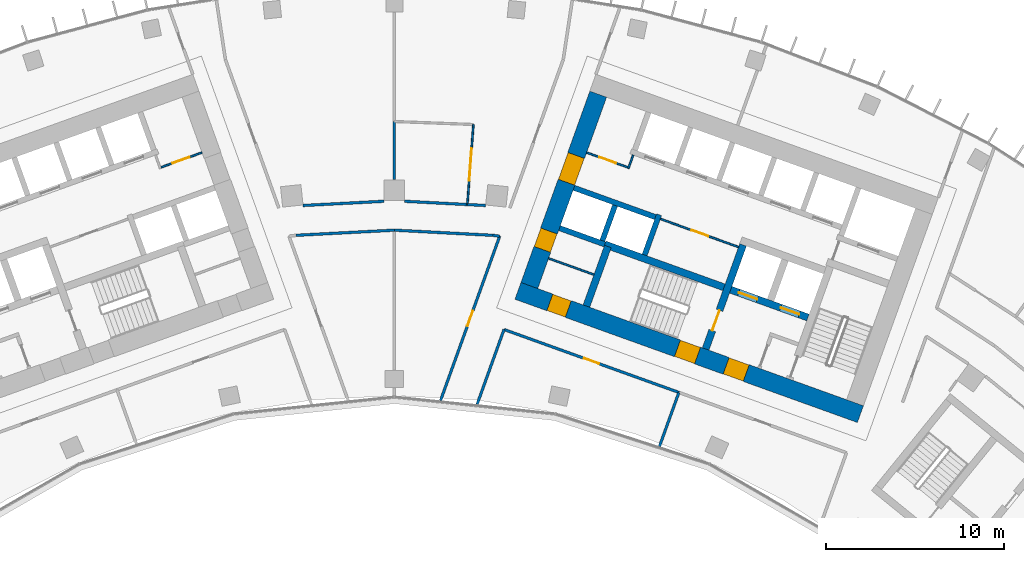
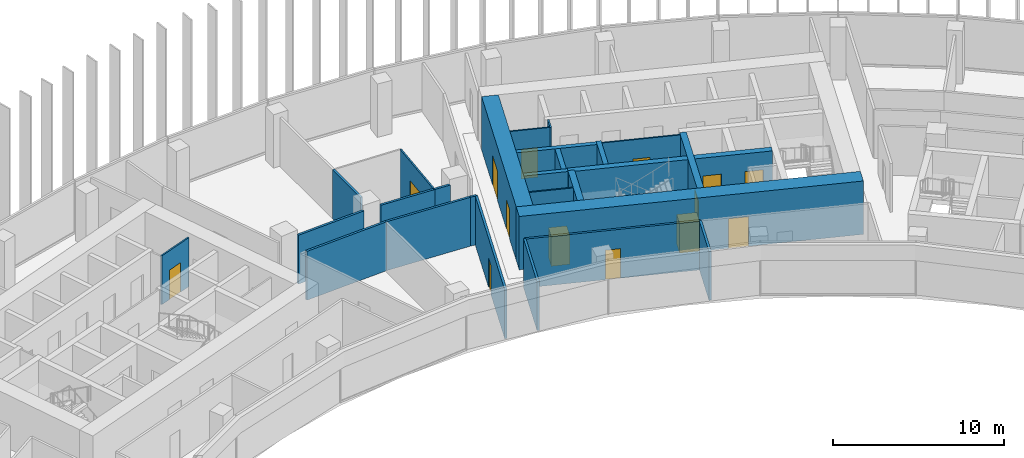
# One storey, part 15 of 19: 26 walls, 14 doors, 14 openings.
"""IFC4 building model written with IfcOpenShell, lengths in metres."""

from ifc_helpers import new_model, si_unit, direction, frame, frame_2d, origin, place, context, subcontext, project, spatial, rectangle, extrude, material, layer, layer_set, type_object, element, fill, save


model = new_model("IFC4")

# Units and contexts
model_context = context("Model", 3, precision=1e-05, world=origin(), true_north=direction((0.0, 1.0)))
body_context = subcontext(model_context, "Body", "Model", "MODEL_VIEW")
ifc_project = project(units=[si_unit("LENGTHUNIT", "METRE"), si_unit("AREAUNIT", "SQUARE_METRE"), si_unit("VOLUMEUNIT", "CUBIC_METRE"), si_unit("PLANEANGLEUNIT", "RADIAN"), si_unit("MASSUNIT", "GRAM", prefix="KILO")], contexts=[model_context])

# Site, building, storey
site_placement = place(None, origin())
site = spatial("IfcSite", under=ifc_project, at=site_placement, CompositionType="ELEMENT")
building_placement = place(site_placement, origin())
building = spatial("IfcBuilding", under=site, at=building_placement, Name="Stone Belt Terrace Tower", CompositionType="ELEMENT")
storey_placement = place(building_placement, frame((0.0, 0.0, 223.800048828125)))
storey = spatial("IfcBuildingStorey", under=building, at=storey_placement, Name="L54", CompositionType="ELEMENT", Elevation=223.800048828125)

# Wall, opening, door
ifc_material_1 = material(Name="Plasterboard partition")
ifc_layer_1 = layer(ifc_material_1, 0.10009765625)
ifc_layer_set_1 = layer_set([ifc_layer_1], Name="Core partition 100")
wall_type_1 = type_object("IfcWallType", Name="Core partition 100", PredefinedType="PARTITIONING", material=ifc_layer_set_1)
wall_1_placement = place(storey_placement, frame((-13.085693359375, 56.294677734375, 0.0), z_axis=(0.0, 0.0, 1.0), x_axis=(0.940922976849, 0.338620660383, 0.0)))
wall_1 = element("IfcWall", 1, at=wall_1_placement, inside=storey, type_object=wall_type_1, Name="Core A wall", PredefinedType="PARTITIONING", context=body_context, shape_type="SweptSolid", body=[
    extrude(rectangle(XDim=2.449951171875, YDim=0.10009765625, at=frame_2d((1.22509765625, 0.0))), origin(), (0.0, 0.0, 1.0), 3.47998046875),
])
opening_1_placement = place(wall_1_placement, frame((0.699951171875, 0.0, 0.0)))
opening_1 = element("IfcOpeningElement", 2, at=opening_1_placement, cuts=wall_1, Name="Opening L54-C01", PredefinedType="OPENING", context=body_context, shape_type="SweptSolid", body=[
    extrude(rectangle(XDim=1.0, YDim=2.10009765625, at=frame_2d((0.5, 1.050048828125))), frame((0.0, 0.06005859375, 0.0), z_axis=(0.0, -1.0, 0.0), x_axis=(1.0, 0.0, 0.0)), (0.0, 0.0, 1.0), 0.1201171875),
])
ifc_material_2 = material(Name="Timber door leaf", Category="wood")
door_type_1 = type_object("IfcDoorType", Name="Core room door 1000", OperationType="SINGLE_SWING_LEFT", PredefinedType="DOOR", material=ifc_material_2)
door_1_placement = place(opening_1_placement, origin())
door_1 = element("IfcDoor", 3, at=door_1_placement, inside=storey, type_object=door_type_1, Name="Door to Tenant storage room core A", OperationType="SINGLE_SWING_RIGHT", OverallHeight=2.10009765625, OverallWidth=1.0, PredefinedType="DOOR", context=body_context, shape_type="SweptSolid", body=[
    extrude(rectangle(XDim=1.0, YDim=2.10009765625, at=frame_2d((0.5, 1.050048828125))), frame((0.0, 0.02490234375, 0.0), z_axis=(0.0, -1.0, 0.0), x_axis=(1.0, 0.0, 0.0)), (0.0, 0.0, 1.0), 0.050048828125),
])
fill(opening_1, door_1)

wall_2_placement = place(storey_placement, frame((19.29052734375, 51.829833984375, 0.0), z_axis=(0.0, 0.0, 1.0), x_axis=(-0.940930240745, 0.338600475563, 0.0)))
wall_2 = element("IfcWall", 4, at=wall_2_placement, inside=storey, type_object=wall_type_1, Name="Core B wall", PredefinedType="PARTITIONING", context=body_context, shape_type="SweptSolid", body=[
    extrude(rectangle(XDim=4.64990234375, YDim=0.10009765625, at=frame_2d((2.324951171875, 0.0))), origin(), (0.0, 0.0, 1.0), 3.47998046875),
])
opening_2_placement = place(wall_2_placement, frame((1.800048828125, 0.0, 0.0)))
opening_2 = element("IfcOpeningElement", 5, at=opening_2_placement, cuts=wall_2, Name="Opening L54-C13", PredefinedType="OPENING", context=body_context, shape_type="SweptSolid", body=[
    extrude(rectangle(XDim=1.0, YDim=2.10009765625, at=frame_2d((0.5, 1.050048828125))), frame((0.0, 0.06005859375, 0.0), z_axis=(0.0, -1.0, 0.0), x_axis=(1.0, 0.0, 0.0)), (0.0, 0.0, 1.0), 0.1201171875),
])
door_2_placement = place(opening_2_placement, origin())
door_2 = element("IfcDoor", 6, at=door_2_placement, inside=storey, type_object=door_type_1, Name="Door to Communications hub room core B", OperationType="SINGLE_SWING_LEFT", OverallHeight=2.10009765625, OverallWidth=1.0, PredefinedType="DOOR", context=body_context, shape_type="SweptSolid", body=[
    extrude(rectangle(XDim=1.0, YDim=2.10009765625, at=frame_2d((0.5, 1.050048828125))), frame((0.0, 0.02490234375, 0.0), z_axis=(0.0, -1.0, 0.0), x_axis=(1.0, 0.0, 0.0)), (0.0, 0.0, 1.0), 0.050048828125),
])
fill(opening_2, door_2)

# Walls
wall_3_placement = place(storey_placement, frame((11.187744140625, 50.2822265625, 0.0), z_axis=(0.0, 0.0, 1.0), x_axis=(-0.940949642365, 0.338546555931, 0.0)))
element("IfcWall", 7, at=wall_3_placement, inside=storey, type_object=wall_type_1, Name="Core B wall", PredefinedType="PARTITIONING", context=body_context, shape_type="SweptSolid", body=[
    extrude(rectangle(XDim=2.699951171875, YDim=0.10009765625, at=frame_2d((1.35009765625, 0.0))), origin(), (0.0, 0.0, 1.0), 3.47998046875),
])
wall_4_placement = place(storey_placement, frame((13.115966796875, 56.230712890625, 0.0), z_axis=(0.0, 0.0, 1.0), x_axis=(0.338481684961, 0.940972979923, 0.0)))
element("IfcWall", 8, at=wall_4_placement, inside=storey, type_object=wall_type_1, Name="Core B wall", PredefinedType="PARTITIONING", context=body_context, shape_type="SweptSolid", body=[
    extrude(rectangle(XDim=0.7998046875, YDim=0.10009765625, at=frame_2d((0.39990234375, 0.0))), origin(), (0.0, 0.0, 1.0), 3.47998046875),
])

# Wall, opening, door
wall_5_placement = place(storey_placement, frame((13.085693359375, 56.294677734375, 0.0), z_axis=(0.0, 0.0, 1.0), x_axis=(-0.940922976849, 0.338620660383, 0.0)))
wall_5 = element("IfcWall", 9, at=wall_5_placement, inside=storey, type_object=wall_type_1, Name="Core B wall", PredefinedType="PARTITIONING", context=body_context, shape_type="SweptSolid", body=[
    extrude(rectangle(XDim=2.449951171875, YDim=0.10009765625, at=frame_2d((1.22509765625, 0.0))), origin(), (0.0, 0.0, 1.0), 3.47998046875),
])
opening_3_placement = place(wall_5_placement, frame((0.699951171875, 0.0, 0.0)))
opening_3 = element("IfcOpeningElement", 10, at=opening_3_placement, cuts=wall_5, Name="Opening L54-C12", PredefinedType="OPENING", context=body_context, shape_type="SweptSolid", body=[
    extrude(rectangle(XDim=1.0, YDim=2.10009765625, at=frame_2d((0.5, 1.050048828125))), frame((0.0, 0.06005859375, 0.0), z_axis=(0.0, -1.0, 0.0), x_axis=(1.0, 0.0, 0.0)), (0.0, 0.0, 1.0), 0.1201171875),
])
door_3_placement = place(opening_3_placement, origin())
door_3 = element("IfcDoor", 11, at=door_3_placement, inside=storey, type_object=door_type_1, Name="Door to Tenant storage room core B", OperationType="SINGLE_SWING_LEFT", OverallHeight=2.10009765625, OverallWidth=1.0, PredefinedType="DOOR", context=body_context, shape_type="SweptSolid", body=[
    extrude(rectangle(XDim=1.0, YDim=2.10009765625, at=frame_2d((0.5, 1.050048828125))), frame((0.0, 0.02490234375, 0.0), z_axis=(0.0, -1.0, 0.0), x_axis=(1.0, 0.0, 0.0)), (0.0, 0.0, 1.0), 0.050048828125),
])
fill(opening_3, door_3)

# Wall, openings, doors
ifc_material_3 = material(Name="Concrete B60", Category="concrete")
ifc_layer_2 = layer(ifc_material_3, 1.0)
ifc_layer_set_2 = layer_set([ifc_layer_2], Name="Core wall 1000 B60")
wall_type_2 = type_object("IfcWallType", Name="Core wall 1000 B60", PredefinedType="SHEAR", material=ifc_layer_set_2)
wall_6_placement = place(storey_placement, frame((6.927490234375, 49.370849609375, 0.0), z_axis=(0.0, 0.0, 1.0), x_axis=(0.940921428504, -0.338624962727, 0.0)))
wall_6 = element("IfcWall", 12, at=wall_6_placement, inside=storey, type_object=wall_type_2, Name="Core B wall concave L54", PredefinedType="SHEAR", context=body_context, shape_type="SweptSolid", body=[
    extrude(rectangle(XDim=20.400146484375, YDim=1.0, at=frame_2d((10.2001953125, 0.0))), origin(), (0.0, 0.0, 1.0), 3.800048828125),
])
opening_4_placement = place(wall_6_placement, frame((12.39990234375, 0.0, 0.0)))
opening_4 = element("IfcOpeningElement", 13, at=opening_4_placement, cuts=wall_6, Name="Opening L54-C18", PredefinedType="OPENING", context=body_context, shape_type="SweptSolid", body=[
    extrude(rectangle(XDim=1.199951171875, YDim=2.10009765625, at=frame_2d((0.60009765625, 1.050048828125))), frame((0.0, 0.510009765625, 0.0), z_axis=(0.0, -1.0, 0.0), x_axis=(1.0, 0.0, 0.0)), (0.0, 0.0, 1.0), 1.02001953125),
])
opening_5_placement = place(wall_6_placement, frame((9.5, 0.0, 0.0)))
opening_5 = element("IfcOpeningElement", 14, at=opening_5_placement, cuts=wall_6, Name="Opening L54-C20", PredefinedType="OPENING", context=body_context, shape_type="SweptSolid", body=[
    extrude(rectangle(XDim=1.199951171875, YDim=2.10009765625, at=frame_2d((0.60009765625, 1.050048828125))), frame((0.0, 0.510009765625, 0.0), z_axis=(0.0, -1.0, 0.0), x_axis=(1.0, 0.0, 0.0)), (0.0, 0.0, 1.0), 1.02001953125),
])
opening_6_placement = place(wall_6_placement, frame((1.89990234375, 0.0, 0.0)))
opening_6 = element("IfcOpeningElement", 15, at=opening_6_placement, cuts=wall_6, Name="Opening L54-C22", PredefinedType="OPENING", context=body_context, shape_type="SweptSolid", body=[
    extrude(rectangle(XDim=1.10009765625, YDim=2.10009765625, at=frame_2d((0.550048828125, 1.050048828125))), frame((0.0, 0.510009765625, 0.0), z_axis=(0.0, -1.0, 0.0), x_axis=(1.0, 0.0, 0.0)), (0.0, 0.0, 1.0), 1.02001953125),
])
door_type_2 = type_object("IfcDoorType", Name="Core room door 1100", OperationType="SINGLE_SWING_LEFT", PredefinedType="DOOR", material=ifc_material_2)
door_4_placement = place(opening_6_placement, origin())
door_4 = element("IfcDoor", 16, at=door_4_placement, inside=storey, type_object=door_type_2, Name="Door to Cleaner's store core B", OperationType="SINGLE_SWING_LEFT", OverallHeight=2.10009765625, OverallWidth=1.10009765625, PredefinedType="DOOR", context=body_context, shape_type="SweptSolid", body=[
    extrude(rectangle(XDim=1.10009765625, YDim=2.10009765625, at=frame_2d((0.550048828125, 1.050048828125))), frame((0.0, 0.47998046875, 0.0), z_axis=(0.0, -1.0, 0.0), x_axis=(1.0, 0.0, 0.0)), (0.0, 0.0, 1.0), 0.9599609375),
])
fill(opening_6, door_4)
ifc_material_4 = material(Name="Steel door leaf", Category="steel")
door_type_3 = type_object("IfcDoorType", Name="Fire-fighting lobby door 1200", OperationType="SINGLE_SWING_LEFT", PredefinedType="DOOR", material=ifc_material_4)
door_5_placement = place(opening_4_placement, origin())
door_5 = element("IfcDoor", 17, at=door_5_placement, inside=storey, type_object=door_type_3, Name="Fire-fighting lobby door core B", OperationType="SINGLE_SWING_LEFT", OverallHeight=2.10009765625, OverallWidth=1.199951171875, PredefinedType="DOOR", context=body_context, shape_type="SweptSolid", body=[
    extrude(rectangle(XDim=1.199951171875, YDim=2.10009765625, at=frame_2d((0.60009765625, 1.050048828125))), frame((0.0, 0.47998046875, 0.0), z_axis=(0.0, -1.0, 0.0), x_axis=(1.0, 0.0, 0.0)), (0.0, 0.0, 1.0), 0.9599609375),
])
fill(opening_4, door_5)
door_type_4 = type_object("IfcDoorType", Name="Stair door 1200", OperationType="SINGLE_SWING_LEFT", PredefinedType="DOOR", material=ifc_material_4)
door_6_placement = place(opening_5_placement, origin())
door_6 = element("IfcDoor", 18, at=door_6_placement, inside=storey, type_object=door_type_4, Name="Stair 2 exit door core B", OperationType="SINGLE_SWING_RIGHT", OverallHeight=2.10009765625, OverallWidth=1.199951171875, PredefinedType="DOOR", context=body_context, shape_type="SweptSolid", body=[
    extrude(rectangle(XDim=1.199951171875, YDim=2.10009765625, at=frame_2d((0.60009765625, 1.050048828125))), frame((0.0, 0.47998046875, 0.0), z_axis=(0.0, -1.0, 0.0), x_axis=(1.0, 0.0, 0.0)), (0.0, 0.0, 1.0), 0.9599609375),
])
fill(opening_5, door_6)

wall_7_placement = place(storey_placement, frame((7.567138671875, 49.672119140625, 0.0), z_axis=(0.0, 0.0, 1.0), x_axis=(0.338625431531, 0.940921259788, 0.0)))
wall_7 = element("IfcWall", 19, at=wall_7_placement, inside=storey, type_object=wall_type_2, Name="Core B wall end_a L54", PredefinedType="SHEAR", context=body_context, shape_type="SweptSolid", body=[
    extrude(rectangle(XDim=11.400146484375, YDim=1.0, at=frame_2d((5.7001953125, 0.0))), origin(), (0.0, 0.0, 1.0), 3.800048828125),
])
opening_7_placement = place(wall_7_placement, frame((6.14990234375, 0.0, 0.0)))
opening_7 = element("IfcOpeningElement", 20, at=opening_7_placement, cuts=wall_7, Name="Opening L54-C15", PredefinedType="OPENING", context=body_context, shape_type="SweptSolid", body=[
    extrude(rectangle(XDim=1.60009765625, YDim=2.10009765625, at=frame_2d((0.800048828125, 1.050048828125))), frame((0.0, 0.510009765625, 0.0), z_axis=(0.0, -1.0, 0.0), x_axis=(1.0, 0.0, 0.0)), (0.0, 0.0, 1.0), 1.02001953125),
])
opening_8_placement = place(wall_7_placement, frame((2.14990234375, 0.0, 0.0)))
opening_8 = element("IfcOpeningElement", 21, at=opening_8_placement, cuts=wall_7, Name="Opening L54-C21", PredefinedType="OPENING", context=body_context, shape_type="SweptSolid", body=[
    extrude(rectangle(XDim=1.10009765625, YDim=2.10009765625, at=frame_2d((0.550048828125, 1.050048828125))), frame((0.0, 0.510009765625, 0.0), z_axis=(0.0, -1.0, 0.0), x_axis=(1.0, 0.0, 0.0)), (0.0, 0.0, 1.0), 1.02001953125),
])
door_7_placement = place(opening_8_placement, origin())
door_7 = element("IfcDoor", 22, at=door_7_placement, inside=storey, type_object=door_type_2, Name="Door to Accessible WC core B", OperationType="SINGLE_SWING_RIGHT", OverallHeight=2.10009765625, OverallWidth=1.10009765625, PredefinedType="DOOR", context=body_context, shape_type="SweptSolid", body=[
    extrude(rectangle(XDim=1.10009765625, YDim=2.10009765625, at=frame_2d((0.550048828125, 1.050048828125))), frame((0.0, 0.47998046875, 0.0), z_axis=(0.0, -1.0, 0.0), x_axis=(1.0, 0.0, 0.0)), (0.0, 0.0, 1.0), 0.9599609375),
])
fill(opening_8, door_7)
ifc_material_5 = material(Name="Glazed aluminium door leaf", Category="aluminium")
door_type_5 = type_object("IfcDoorType", Name="Lift lobby entrance door 1600", OperationType="DOUBLE_DOOR_SINGLE_SWING", PredefinedType="DOOR", material=ifc_material_5)
door_8_placement = place(opening_7_placement, origin())
door_8 = element("IfcDoor", 23, at=door_8_placement, inside=storey, type_object=door_type_5, Name="Lift lobby entrance door core B", OperationType="DOUBLE_DOOR_SINGLE_SWING", OverallHeight=2.10009765625, OverallWidth=1.60009765625, PredefinedType="DOOR", context=body_context, shape_type="SweptSolid", body=[
    extrude(rectangle(XDim=1.60009765625, YDim=2.10009765625, at=frame_2d((0.800048828125, 1.050048828125))), frame((0.0, 0.47998046875, 0.0), z_axis=(0.0, -1.0, 0.0), x_axis=(1.0, 0.0, 0.0)), (0.0, 0.0, 1.0), 0.9599609375),
])
fill(opening_7, door_8)

# Walls
ifc_material_6 = material(Name="Concrete B80", Category="concrete")
ifc_layer_3 = layer(ifc_material_6, 0.300048828125)
ifc_layer_set_3 = layer_set([ifc_layer_3], Name="Lift shaft wall 300")
wall_type_3 = type_object("IfcWallType", Name="Lift shaft wall 300", PredefinedType="SHEAR", material=ifc_layer_set_3)
wall_8_placement = place(storey_placement, frame((14.029052734375, 51.38525390625, 0.0), z_axis=(0.0, 0.0, 1.0), x_axis=(0.338661829791, 0.940908159728, 0.0)))
element("IfcWall", 24, at=wall_8_placement, inside=storey, type_object=wall_type_3, Name="Core B wall", PredefinedType="SHEAR", context=body_context, shape_type="SweptSolid", body=[
    extrude(rectangle(XDim=2.39990234375, YDim=0.300048828125, at=frame_2d((1.199951171875, 0.0))), origin(), (0.0, 0.0, 1.0), 3.47998046875),
])
wall_9_placement = place(storey_placement, frame((14.6328125, 53.506103515625, 0.0), z_axis=(0.0, 0.0, 1.0), x_axis=(-0.940931684323, 0.338596464007, 0.0)))
element("IfcWall", 25, at=wall_9_placement, inside=storey, type_object=wall_type_3, Name="Core B wall", PredefinedType="SHEAR", context=body_context, shape_type="SweptSolid", body=[
    extrude(rectangle(XDim=4.849609375, YDim=0.300048828125, at=frame_2d((2.4248046875, 0.0))), origin(), (0.0, 0.0, 1.0), 3.47998046875),
])
wall_10_placement = place(storey_placement, frame((11.797119140625, 51.975830078125, 0.0), z_axis=(0.0, 0.0, 1.0), x_axis=(-0.940910465161, 0.33865542451, 0.0)))
element("IfcWall", 26, at=wall_10_placement, inside=storey, type_object=wall_type_3, Name="Core B wall", PredefinedType="SHEAR", context=body_context, shape_type="SweptSolid", body=[
    extrude(rectangle(XDim=2.69970703125, YDim=0.300048828125, at=frame_2d((1.349853515625, 0.0))), origin(), (0.0, 0.0, 1.0), 3.47998046875),
])
wall_11_placement = place(storey_placement, frame((11.659912109375, 52.184814453125, 0.0), z_axis=(0.0, 0.0, 1.0), x_axis=(0.338670064856, 0.940905195634, 0.0)))
element("IfcWall", 27, at=wall_11_placement, inside=storey, type_object=wall_type_3, Name="Core B wall", PredefinedType="SHEAR", context=body_context, shape_type="SweptSolid", body=[
    extrude(rectangle(XDim=2.099853515625, YDim=0.300048828125, at=frame_2d((1.0498046875, 0.0))), origin(), (0.0, 0.0, 1.0), 3.47998046875),
])

# Wall, opening, door
ifc_material_7 = material(Name="Gypsum board partition")
ifc_layer_4 = layer(ifc_material_7, 0.10009765625)
ifc_layer_set_4 = layer_set([ifc_layer_4], Name="PARTITION 100")
wall_type_4 = type_object("IfcWallType", Name="PARTITION 100", PredefinedType="PARTITIONING", material=ifc_layer_set_4)
wall_12_placement = place(storey_placement, frame((4.093994140625, 54.2109375, 0.0), z_axis=(0.0, 0.0, 1.0), x_axis=(0.075090731836, 0.9971767055, 0.0)))
wall_12 = element("IfcWall", 28, at=wall_12_placement, inside=storey, type_object=wall_type_4, Name="L54/wall/i081", PredefinedType="PARTITIONING", context=body_context, shape_type="SweptSolid", body=[
    extrude(rectangle(XDim=4.499755859375, YDim=0.10009765625, at=frame_2d((2.25, 0.0))), origin(), (0.0, 0.0, 1.0), 3.47998046875),
])
opening_9_placement = place(wall_12_placement, frame((1.349853515625, 0.0, 0.0)))
opening_9 = element("IfcOpeningElement", 29, at=opening_9_placement, cuts=wall_12, Name="Opening D-D3-27", PredefinedType="OPENING", context=body_context, shape_type="SweptSolid", body=[
    extrude(rectangle(XDim=1.800048828125, YDim=2.10009765625, at=frame_2d((0.89990234375, 1.050048828125))), frame((0.0, 0.06005859375, 0.0), z_axis=(0.0, -1.0, 0.0), x_axis=(1.0, 0.0, 0.0)), (0.0, 0.0, 1.0), 0.1201171875),
])
door_type_6 = type_object("IfcDoorType", Name="DOUBLE DOOR 1800 X 2100", OperationType="DOUBLE_DOOR_SINGLE_SWING", PredefinedType="DOOR", material=ifc_material_2)
door_9_placement = place(opening_9_placement, origin())
door_9 = element("IfcDoor", 30, at=door_9_placement, inside=storey, type_object=door_type_6, Name="L54/door/i27", OperationType="DOUBLE_DOOR_SINGLE_SWING", OverallHeight=2.10009765625, OverallWidth=1.800048828125, PredefinedType="DOOR", context=body_context, shape_type="SweptSolid", body=[
    extrude(rectangle(XDim=1.800048828125, YDim=2.10009765625, at=frame_2d((0.89990234375, 1.050048828125))), frame((0.0, 0.02490234375, 0.0), z_axis=(0.0, -1.0, 0.0), x_axis=(1.0, 0.0, 0.0)), (0.0, 0.0, 1.0), 0.050048828125),
])
fill(opening_9, door_9)

# Wall
ifc_layer_5 = layer(ifc_material_7, 0.14990234375)
ifc_layer_set_5 = layer_set([ifc_layer_5], Name="PARTITION 150 EI 60")
wall_type_5 = type_object("IfcWallType", Name="PARTITION 150 EI 60", PredefinedType="PARTITIONING", material=ifc_layer_set_5)
wall_13_placement = place(storey_placement, frame((6.14990234375, 47.212890625, 0.0), z_axis=(0.0, 0.0, 1.0), x_axis=(-0.338583902482, -0.940936204522, 0.0)))
element("IfcWall", 31, at=wall_13_placement, inside=storey, type_object=wall_type_5, Name="L54/wall/i016", PredefinedType="PARTITIONING", context=body_context, shape_type="SweptSolid", body=[
    extrude(rectangle(XDim=4.464111328125, YDim=0.14990234375, at=frame_2d((2.23193359375, 0.0))), origin(), (0.0, 0.0, 1.0), 3.47998046875),
])

# Wall, opening, door
wall_14_placement = place(storey_placement, frame((2.590087890625, 43.227783203125, 0.0), z_axis=(0.0, 0.0, 1.0), x_axis=(0.33864618549, 0.940913790447, 0.0)))
wall_14 = element("IfcWall", 32, at=wall_14_placement, inside=storey, type_object=wall_type_5, Name="L54/wall/i018", PredefinedType="PARTITIONING", context=body_context, shape_type="SweptSolid", body=[
    extrude(rectangle(XDim=9.791748046875, YDim=0.14990234375, at=frame_2d((4.89599609375, 0.0))), origin(), (0.0, 0.0, 1.0), 3.47998046875),
])
opening_10_placement = place(wall_14_placement, frame((4.44580078125, 0.0, 0.0)))
opening_10 = element("IfcOpeningElement", 33, at=opening_10_placement, cuts=wall_14, Name="Opening D-D3-24", PredefinedType="OPENING", context=body_context, shape_type="SweptSolid", body=[
    extrude(rectangle(XDim=0.89990234375, YDim=2.10009765625, at=frame_2d((0.449951171875, 1.050048828125))), frame((0.0, 0.0849609375, 0.0), z_axis=(0.0, -1.0, 0.0), x_axis=(1.0, 0.0, 0.0)), (0.0, 0.0, 1.0), 0.169921875),
])
door_type_7 = type_object("IfcDoorType", Name="OFFICE DOOR 900 X 2100", OperationType="NOTDEFINED", PredefinedType="DOOR", material=ifc_material_2)
door_10_placement = place(opening_10_placement, origin())
door_10 = element("IfcDoor", 34, at=door_10_placement, inside=storey, type_object=door_type_7, Name="L54/door/i24", OperationType="SINGLE_SWING_RIGHT", OverallHeight=2.10009765625, OverallWidth=0.89990234375, PredefinedType="DOOR", context=body_context, shape_type="SweptSolid", body=[
    extrude(rectangle(XDim=0.89990234375, YDim=2.10009765625, at=frame_2d((0.449951171875, 1.050048828125))), frame((0.0, 0.02490234375, 0.0), z_axis=(0.0, -1.0, 0.0), x_axis=(1.0, 0.0, 0.0)), (0.0, 0.0, 1.0), 0.050048828125),
])
fill(opening_10, door_10)

wall_15_placement = place(storey_placement, frame((15.955078125, 43.677978515625, 0.0), z_axis=(0.0, 0.0, 1.0), x_axis=(-0.940922943648, 0.338620752637, 0.0)))
wall_15 = element("IfcWall", 35, at=wall_15_placement, inside=storey, type_object=wall_type_5, Name="L54/wall/i027", PredefinedType="PARTITIONING", context=body_context, shape_type="SweptSolid", body=[
    extrude(rectangle(XDim=10.421875, YDim=0.14990234375, at=frame_2d((5.2109375, 0.0))), origin(), (0.0, 0.0, 1.0), 3.47998046875),
])
opening_11_placement = place(wall_15_placement, frame((4.7607421875, 0.0, 0.0)))
opening_11 = element("IfcOpeningElement", 36, at=opening_11_placement, cuts=wall_15, Name="Opening D-D3-05", PredefinedType="OPENING", context=body_context, shape_type="SweptSolid", body=[
    extrude(rectangle(XDim=0.89990234375, YDim=2.10009765625, at=frame_2d((0.449951171875, 1.050048828125))), frame((0.0, 0.0849609375, 0.0), z_axis=(0.0, -1.0, 0.0), x_axis=(1.0, 0.0, 0.0)), (0.0, 0.0, 1.0), 0.169921875),
])
door_11_placement = place(opening_11_placement, origin())
door_11 = element("IfcDoor", 37, at=door_11_placement, inside=storey, type_object=door_type_7, Name="L54/door/i05", OperationType="SINGLE_SWING_RIGHT", OverallHeight=2.10009765625, OverallWidth=0.89990234375, PredefinedType="DOOR", context=body_context, shape_type="SweptSolid", body=[
    extrude(rectangle(XDim=0.89990234375, YDim=2.10009765625, at=frame_2d((0.449951171875, 1.050048828125))), frame((0.0, 0.02490234375, 0.0), z_axis=(0.0, -1.0, 0.0), x_axis=(1.0, 0.0, 0.0)), (0.0, 0.0, 1.0), 0.050048828125),
])
fill(opening_11, door_11)

# Walls
wall_16_placement = place(storey_placement, frame((15.948974609375, 43.679931640625, 0.0), z_axis=(0.0, 0.0, 1.0), x_axis=(-0.338792175686, -0.940861234027, 0.0)))
element("IfcWall", 38, at=wall_16_placement, inside=storey, type_object=wall_type_5, Name="L54/wall/i029", PredefinedType="PARTITIONING", context=body_context, shape_type="SweptSolid", body=[
    extrude(rectangle(XDim=3.21044921875, YDim=0.14990234375, at=frame_2d((1.605224609375, 0.0))), origin(), (0.0, 0.0, 1.0), 3.47998046875),
])
wall_17_placement = place(storey_placement, frame((0.0, 52.77490234375, 0.0), z_axis=(0.0, 0.0, 1.0), x_axis=(-0.998632077757, -0.052287410285, 0.0)))
element("IfcWall", 39, at=wall_17_placement, inside=storey, type_object=wall_type_5, Name="L54/wall/i069", PredefinedType="PARTITIONING", context=body_context, shape_type="SweptSolid", body=[
    extrude(rectangle(XDim=5.523681640625, YDim=0.14990234375, at=frame_2d((2.76171875, 0.0))), origin(), (0.0, 0.0, 1.0), 3.47998046875),
])
wall_18_placement = place(storey_placement, frame((5.904052734375, 52.43603515625, 0.0), z_axis=(0.0, 0.0, 1.0), x_axis=(-0.991780421826, 0.127951533338, 0.0)))
element("IfcWall", 40, at=wall_18_placement, inside=storey, type_object=wall_type_5, Name="L54/wall/i071", PredefinedType="PARTITIONING", context=body_context, shape_type="SweptSolid", body=[
    extrude(rectangle(XDim=0.39111328125, YDim=0.14990234375, at=frame_2d((0.195556640625, 0.0))), origin(), (0.0, 0.0, 1.0), 3.47998046875),
])
wall_19_placement = place(storey_placement, frame((5.51611328125, 52.486083984375, 0.0), z_axis=(0.0, 0.0, 1.0), x_axis=(-0.998632077757, 0.052287410285, 0.0)))
element("IfcWall", 41, at=wall_19_placement, inside=storey, type_object=wall_type_5, Name="L54/wall/i072", PredefinedType="PARTITIONING", context=body_context, shape_type="SweptSolid", body=[
    extrude(rectangle(XDim=5.523681640625, YDim=0.14990234375, at=frame_2d((2.76171875, 0.0))), origin(), (0.0, 0.0, 1.0), 3.47998046875),
])
wall_20_placement = place(storey_placement, frame((-5.114013671875, 54.1572265625, 0.0), z_axis=(0.0, 0.0, 1.0), x_axis=(0.998631882583, 0.052291137769, 0.0)))
element("IfcWall", 42, at=wall_20_placement, inside=storey, type_object=wall_type_5, Name="L54/wall/i073", PredefinedType="PARTITIONING", context=body_context, shape_type="SweptSolid", body=[
    extrude(rectangle(XDim=4.54736328125, YDim=0.14990234375, at=frame_2d((2.273681640625, 0.0))), origin(), (0.0, 0.0, 1.0), 3.47998046875),
])
wall_21_placement = place(storey_placement, frame((4.087890625, 54.2109375, 0.0), z_axis=(0.0, 0.0, 1.0), x_axis=(0.998631584931, -0.052296821872, 0.0)))
element("IfcWall", 43, at=wall_21_placement, inside=storey, type_object=wall_type_5, Name="L54/wall/i074", PredefinedType="PARTITIONING", context=body_context, shape_type="SweptSolid", body=[
    extrude(rectangle(XDim=1.027099609375, YDim=0.14990234375, at=frame_2d((0.513671875, 0.0))), origin(), (0.0, 0.0, 1.0), 3.47998046875),
])
wall_22_placement = place(storey_placement, frame((0.572021484375, 54.39501953125, 0.0), z_axis=(0.0, 0.0, 1.0), x_axis=(0.998627167423, -0.052381108083, 0.0)))
element("IfcWall", 44, at=wall_22_placement, inside=storey, type_object=wall_type_5, Name="L54/wall/i075", PredefinedType="PARTITIONING", context=body_context, shape_type="SweptSolid", body=[
    extrude(rectangle(XDim=3.532958984375, YDim=0.14990234375, at=frame_2d((1.7666015625, 0.0))), origin(), (0.0, 0.0, 1.0), 3.47998046875),
])
wall_23_placement = place(storey_placement, frame((0.0, 58.87109375, 0.0), z_axis=(0.0, 0.0, 1.0), x_axis=(0.0, -1.0, 0.0)))
element("IfcWall", 45, at=wall_23_placement, inside=storey, type_object=wall_type_5, Name="L54/wall/i080", PredefinedType="PARTITIONING", context=body_context, shape_type="SweptSolid", body=[
    extrude(rectangle(XDim=3.26611328125, YDim=0.14990234375, at=frame_2d((1.633056640625, 0.0))), origin(), (0.0, 0.0, 1.0), 3.47998046875),
])

# Wall, openings, doors
ifc_layer_6 = layer(ifc_material_6, 0.39990234375)
ifc_layer_set_6 = layer_set([ifc_layer_6], Name="Stair enclosure wall 400")
wall_type_6 = type_object("IfcWallType", Name="Stair enclosure wall 400", PredefinedType="SHEAR", material=ifc_layer_set_6)
wall_24_placement = place(storey_placement, frame((23.182373046875, 47.87841796875, 0.0), z_axis=(0.0, 0.0, 1.0), x_axis=(-0.940921101762, 0.338625870628, 0.0)))
wall_24 = element("IfcWall", 46, at=wall_24_placement, inside=storey, type_object=wall_type_6, Name="Core B wall", PredefinedType="SHEAR", context=body_context, shape_type="SweptSolid", body=[
    extrude(rectangle(XDim=12.10009765625, YDim=0.39990234375, at=frame_2d((6.050048828125, 0.0))), origin(), (0.0, 0.0, 1.0), 3.47998046875),
])
opening_12_placement = place(wall_24_placement, frame((0.52001953125, 0.0, 0.0)))
opening_12 = element("IfcOpeningElement", 47, at=opening_12_placement, cuts=wall_24, Name="Opening L54-LD14", PredefinedType="OPENING", context=body_context, shape_type="SweptSolid", body=[
    extrude(rectangle(XDim=1.10009765625, YDim=2.199951171875, at=frame_2d((0.550048828125, 1.10009765625))), frame((0.0, 0.2099609375, 0.0), z_axis=(0.0, -1.0, 0.0), x_axis=(1.0, 0.0, 0.0)), (0.0, 0.0, 1.0), 0.419921875),
])
opening_13_placement = place(wall_24_placement, frame((3.02001953125, 0.0, 0.0)))
opening_13 = element("IfcOpeningElement", 48, at=opening_13_placement, cuts=wall_24, Name="Opening L54-LD15", PredefinedType="OPENING", context=body_context, shape_type="SweptSolid", body=[
    extrude(rectangle(XDim=1.10009765625, YDim=2.199951171875, at=frame_2d((0.550048828125, 1.10009765625))), frame((0.0, 0.2099609375, 0.0), z_axis=(0.0, -1.0, 0.0), x_axis=(1.0, 0.0, 0.0)), (0.0, 0.0, 1.0), 0.419921875),
])
ifc_material_8 = material(Name="Stainless steel door leaf", Category="steel")
door_type_8 = type_object("IfcDoorType", Name="Landing door 1100", OperationType="SLIDING_TO_LEFT", PredefinedType="DOOR", material=ifc_material_8)
door_12_placement = place(opening_12_placement, origin())
door_12 = element("IfcDoor", 49, at=door_12_placement, inside=storey, type_object=door_type_8, Name="Landing door FF1 core B", OperationType="SLIDING_TO_LEFT", OverallHeight=2.199951171875, OverallWidth=1.10009765625, PredefinedType="DOOR", context=body_context, shape_type="SweptSolid", body=[
    extrude(rectangle(XDim=1.10009765625, YDim=2.199951171875, at=frame_2d((0.550048828125, 1.10009765625))), frame((0.0, 0.02490234375, 0.0), z_axis=(0.0, -1.0, 0.0), x_axis=(1.0, 0.0, 0.0)), (0.0, 0.0, 1.0), 0.050048828125),
])
fill(opening_12, door_12)
door_13_placement = place(opening_13_placement, origin())
door_13 = element("IfcDoor", 50, at=door_13_placement, inside=storey, type_object=door_type_8, Name="Landing door FF2 core B", OperationType="SLIDING_TO_LEFT", OverallHeight=2.199951171875, OverallWidth=1.10009765625, PredefinedType="DOOR", context=body_context, shape_type="SweptSolid", body=[
    extrude(rectangle(XDim=1.10009765625, YDim=2.199951171875, at=frame_2d((0.550048828125, 1.10009765625))), frame((0.0, 0.02490234375, 0.0), z_axis=(0.0, -1.0, 0.0), x_axis=(1.0, 0.0, 0.0)), (0.0, 0.0, 1.0), 0.050048828125),
])
fill(opening_13, door_13)

# Wall, opening, door
wall_25_placement = place(storey_placement, frame((17.447021484375, 46.116455078125, 0.0), z_axis=(0.0, 0.0, 1.0), x_axis=(0.33860791464, 0.940927563707, 0.0)))
wall_25 = element("IfcWall", 51, at=wall_25_placement, inside=storey, type_object=wall_type_6, Name="Core B wall", PredefinedType="SHEAR", context=body_context, shape_type="SweptSolid", body=[
    extrude(rectangle(XDim=6.199951171875, YDim=0.39990234375, at=frame_2d((3.10009765625, 0.0))), origin(), (0.0, 0.0, 1.0), 3.47998046875),
])
opening_14_placement = place(wall_25_placement, frame((1.10009765625, 0.0, 0.0)))
opening_14 = element("IfcOpeningElement", 52, at=opening_14_placement, cuts=wall_25, Name="Opening L54-C19", PredefinedType="OPENING", context=body_context, shape_type="SweptSolid", body=[
    extrude(rectangle(XDim=1.199951171875, YDim=2.10009765625, at=frame_2d((0.60009765625, 1.050048828125))), frame((0.0, 0.2099609375, 0.0), z_axis=(0.0, -1.0, 0.0), x_axis=(1.0, 0.0, 0.0)), (0.0, 0.0, 1.0), 0.419921875),
])
door_14_placement = place(opening_14_placement, origin())
door_14 = element("IfcDoor", 53, at=door_14_placement, inside=storey, type_object=door_type_4, Name="Stair 2 door core B", OperationType="SINGLE_SWING_LEFT", OverallHeight=2.10009765625, OverallWidth=1.199951171875, PredefinedType="DOOR", context=body_context, shape_type="SweptSolid", body=[
    extrude(rectangle(XDim=1.199951171875, YDim=2.10009765625, at=frame_2d((0.60009765625, 1.050048828125))), frame((0.0, 0.02490234375, 0.0), z_axis=(0.0, -1.0, 0.0), x_axis=(1.0, 0.0, 0.0)), (0.0, 0.0, 1.0), 0.050048828125),
])
fill(opening_14, door_14)

# Wall
wall_26_placement = place(storey_placement, frame((10.766357421875, 48.520751953125, 0.0), z_axis=(0.0, 0.0, 1.0), x_axis=(0.338626928157, 0.94092072117, 0.0)))
element("IfcWall", 54, at=wall_26_placement, inside=storey, type_object=wall_type_6, Name="Core B wall", PredefinedType="SHEAR", context=body_context, shape_type="SweptSolid", body=[
    extrude(rectangle(XDim=3.550048828125, YDim=0.39990234375, at=frame_2d((1.77490234375, 0.0))), origin(), (0.0, 0.0, 1.0), 3.47998046875),
])

save(model, "model.ifc")
